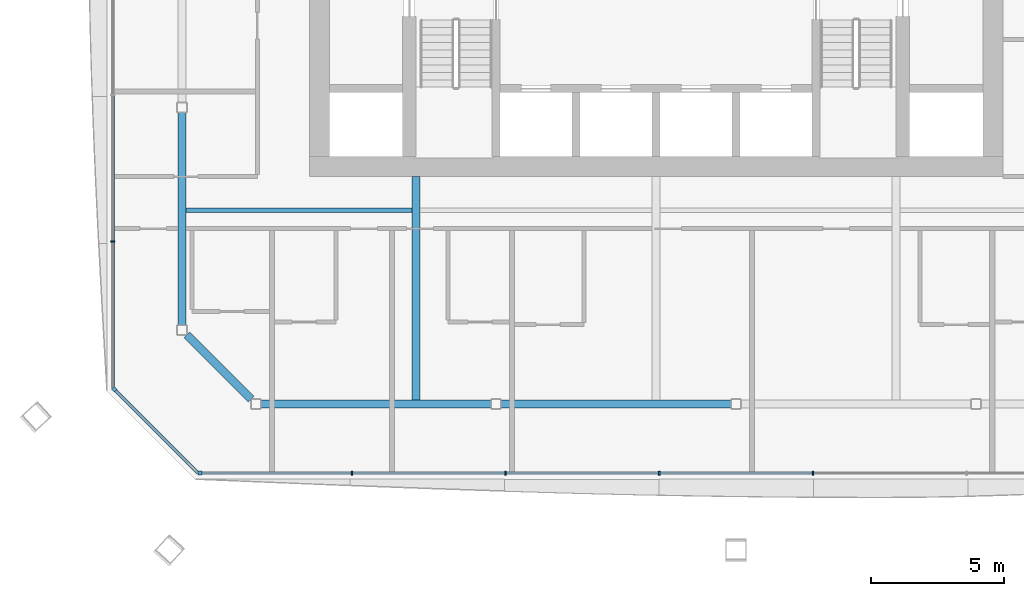
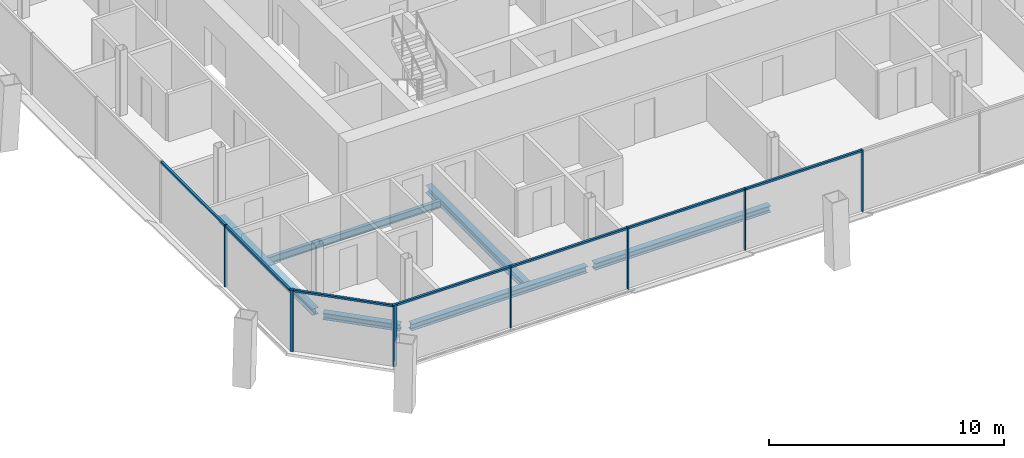
# One storey, part 4 of 22: 14 members, 6 beams, 3 elements without a shape of their own.
"""IFC4 building model written with IfcOpenShell, lengths in metres."""

from ifc_helpers import new_model, si_unit, direction, frame, origin, origin_2d, place, context, subcontext, project, spatial, rectangle, i_section, extrude, material, material_profile, profile_set, type_object, element, aggregate, save


model = new_model("IFC4")

# Units and contexts
model_context = context("Model", 3, precision=1e-05, world=origin(), true_north=direction((0.0, 1.0)))
body_context = subcontext(model_context, "Body", "Model", "MODEL_VIEW")
ifc_project = project(units=[si_unit("LENGTHUNIT", "METRE"), si_unit("AREAUNIT", "SQUARE_METRE"), si_unit("VOLUMEUNIT", "CUBIC_METRE"), si_unit("PLANEANGLEUNIT", "RADIAN"), si_unit("MASSUNIT", "GRAM", prefix="KILO")], contexts=[model_context])

# Site, building, storey
site_placement = place(None, origin())
site = spatial("IfcSite", under=ifc_project, at=site_placement, CompositionType="ELEMENT")
building_placement = place(site_placement, origin())
building = spatial("IfcBuilding", under=site, at=building_placement, Name="Tskaro Facet Tower", CompositionType="ELEMENT")
storey_placement = place(building_placement, frame((0.0, 0.0, 124.89990234375)))
storey = spatial("IfcBuildingStorey", under=building, at=storey_placement, Name="L29", CompositionType="ELEMENT", Elevation=124.89990234375)

# Curtain wall, member
ifc_material_1 = material(Name="Bronze anodised aluminium 6063-T6", Category="aluminium")
curtain_wall_type = type_object("IfcCurtainWallType", Name="Bronze hotel curtain wall (FW2)", PredefinedType="NOTDEFINED", material=ifc_material_1)
curtain_wall_1_placement = place(storey_placement, origin())
curtain_wall_1 = element("IfcCurtainWall", 1, at=curtain_wall_1_placement, inside=storey, type_object=curtain_wall_type, Name="FW2 south facet L29", PredefinedType="NOTDEFINED")
ifc_material_profile_1 = material_profile(ifc_material_1, rectangle(XDim=0.14990234375, YDim=0.14990234375, at=origin_2d()), Name="Corner post 150x150")
ifc_profile_set_1 = profile_set([ifc_material_profile_1], Name="Bronze anodised aluminium 6063-T6")
member_type_1 = type_object("IfcMemberType", Name="FW2 bronze corner post 150x150", PredefinedType="MULLION", material=ifc_profile_set_1)
member_1_placement = place(storey_placement, frame((-17.091064453125, -23.366943359375, 0.0), z_axis=(0.0, 0.0, 1.0), x_axis=(1.0, 0.0, 0.0)))
member_1 = element("IfcMember", 2, at=member_1_placement, type_object=member_type_1, Name="FW2 south corner post", PredefinedType="MULLION", context=body_context, shape_type="SweptSolid", body=[
    extrude(rectangle(XDim=0.14990234375, YDim=0.14990234375, at=origin_2d()), origin(), (0.0, 0.0, 1.0), 3.2001953125),
])

curtain_wall_2_placement = place(storey_placement, origin())
curtain_wall_2 = element("IfcCurtainWall", 3, at=curtain_wall_2_placement, inside=storey, type_object=curtain_wall_type, Name="FW2 south-west facet L29", PredefinedType="NOTDEFINED")
member_2_placement = place(storey_placement, frame((-20.31396484375, -20.218994140625, 0.0), z_axis=(0.0, 0.0, 1.0), x_axis=(0.707106781187, -0.707106781187, 0.0)))
member_2 = element("IfcMember", 4, at=member_2_placement, type_object=member_type_1, Name="FW2 south-west corner post", PredefinedType="MULLION", context=body_context, shape_type="SweptSolid", body=[
    extrude(rectangle(XDim=0.14990234375, YDim=0.14990234375, at=origin_2d()), origin(), (0.0, 0.0, 1.0), 3.2001953125),
])

# Member
ifc_material_profile_2 = material_profile(ifc_material_1, rectangle(XDim=0.06005859375, YDim=0.14990234375, at=origin_2d()), Name="Mullion 60x150")
ifc_profile_set_2 = profile_set([ifc_material_profile_2], Name="Bronze anodised aluminium 6063-T6")
member_type_2 = type_object("IfcMemberType", Name="FW2 bronze mullion 60x150", PredefinedType="MULLION", material=ifc_profile_set_2)
member_3_placement = place(storey_placement, frame((-11.404296875, -23.366943359375, 0.0), z_axis=(0.0, 0.0, 1.0), x_axis=(1.0, 0.0, 0.0)))
member_3 = element("IfcMember", 5, at=member_3_placement, type_object=member_type_2, Name="FW2 south mullion 1", PredefinedType="MULLION", context=body_context, shape_type="SweptSolid", body=[
    extrude(rectangle(XDim=0.06005859375, YDim=0.14990234375, at=origin_2d()), origin(), (0.0, 0.0, 1.0), 3.2001953125),
])

member_4_placement = place(storey_placement, frame((-5.642578125, -23.366943359375, 0.0), z_axis=(0.0, 0.0, 1.0), x_axis=(1.0, 0.0, 0.0)))
member_4 = element("IfcMember", 6, at=member_4_placement, type_object=member_type_2, Name="FW2 south mullion 2", PredefinedType="MULLION", context=body_context, shape_type="SweptSolid", body=[
    extrude(rectangle(XDim=0.06005859375, YDim=0.14990234375, at=origin_2d()), origin(), (0.0, 0.0, 1.0), 3.2001953125),
])

member_5_placement = place(storey_placement, frame((0.119140625, -23.366943359375, 0.0), z_axis=(0.0, 0.0, 1.0), x_axis=(1.0, 0.0, 0.0)))
member_5 = element("IfcMember", 7, at=member_5_placement, type_object=member_type_2, Name="FW2 south mullion 3", PredefinedType="MULLION", context=body_context, shape_type="SweptSolid", body=[
    extrude(rectangle(XDim=0.06005859375, YDim=0.14990234375, at=origin_2d()), origin(), (0.0, 0.0, 1.0), 3.2001953125),
])

member_6_placement = place(storey_placement, frame((5.880859375, -23.366943359375, 0.0), z_axis=(0.0, 0.0, 1.0), x_axis=(1.0, 0.0, 0.0)))
member_6 = element("IfcMember", 8, at=member_6_placement, type_object=member_type_2, Name="FW2 south mullion 4", PredefinedType="MULLION", context=body_context, shape_type="SweptSolid", body=[
    extrude(rectangle(XDim=0.06005859375, YDim=0.14990234375, at=origin_2d()), origin(), (0.0, 0.0, 1.0), 3.2001953125),
])

# Curtain wall, member
curtain_wall_3_placement = place(storey_placement, origin())
curtain_wall_3 = element("IfcCurtainWall", 9, at=curtain_wall_3_placement, inside=storey, type_object=curtain_wall_type, Name="FW2 west facet L29", PredefinedType="NOTDEFINED")
member_7_placement = place(storey_placement, frame((-20.366943359375, -14.677490234375, 0.0), z_axis=(0.0, 0.0, 1.0), x_axis=(0.0, -1.0, 0.0)))
member_7 = element("IfcMember", 10, at=member_7_placement, type_object=member_type_2, Name="FW2 west mullion 6", PredefinedType="MULLION", context=body_context, shape_type="SweptSolid", body=[
    extrude(rectangle(XDim=0.06005859375, YDim=0.14990234375, at=origin_2d()), origin(), (0.0, 0.0, 1.0), 3.2001953125),
])

# Member
ifc_material_profile_3 = material_profile(ifc_material_1, rectangle(XDim=0.110107421875, YDim=0.10009765625, at=origin_2d()), Name="Transom 110x100")
ifc_profile_set_3 = profile_set([ifc_material_profile_3], Name="Bronze anodised aluminium 6063-T6")
member_type_3 = type_object("IfcMemberType", Name="FW2 bronze transom 110x100", PredefinedType="USERDEFINED", material=ifc_profile_set_3)
member_8_placement = place(storey_placement, frame((-17.01611328125, -23.366943359375, 3.150146484375), z_axis=(1.0, 0.0, 0.0), x_axis=(0.0, 1.0, 0.0)))
member_8 = element("IfcMember", 11, at=member_8_placement, type_object=member_type_3, Name="FW2 south transom 1.1", ObjectType="TRANSOM", PredefinedType="USERDEFINED", context=body_context, shape_type="SweptSolid", body=[
    extrude(rectangle(XDim=0.110107421875, YDim=0.10009765625, at=origin_2d()), origin(), (0.0, 0.0, 1.0), 5.581787109375),
])

member_9_placement = place(storey_placement, frame((-11.374267578125, -23.366943359375, 3.150146484375), z_axis=(1.0, 0.0, 0.0), x_axis=(0.0, 1.0, 0.0)))
member_9 = element("IfcMember", 12, at=member_9_placement, type_object=member_type_3, Name="FW2 south transom 2.1", ObjectType="TRANSOM", PredefinedType="USERDEFINED", context=body_context, shape_type="SweptSolid", body=[
    extrude(rectangle(XDim=0.110107421875, YDim=0.10009765625, at=origin_2d()), origin(), (0.0, 0.0, 1.0), 5.70166015625),
])

member_10_placement = place(storey_placement, frame((-5.612548828125, -23.366943359375, 3.150146484375), z_axis=(1.0, 0.0, 0.0), x_axis=(0.0, 1.0, 0.0)))
member_10 = element("IfcMember", 13, at=member_10_placement, type_object=member_type_3, Name="FW2 south transom 3.1", ObjectType="TRANSOM", PredefinedType="USERDEFINED", context=body_context, shape_type="SweptSolid", body=[
    extrude(rectangle(XDim=0.110107421875, YDim=0.10009765625, at=origin_2d()), origin(), (0.0, 0.0, 1.0), 5.70166015625),
])

member_11_placement = place(storey_placement, frame((0.149169921875, -23.366943359375, 3.150146484375), z_axis=(1.0, 0.0, 0.0), x_axis=(0.0, 1.0, 0.0)))
member_11 = element("IfcMember", 14, at=member_11_placement, type_object=member_type_3, Name="FW2 south transom 4.1", ObjectType="TRANSOM", PredefinedType="USERDEFINED", context=body_context, shape_type="SweptSolid", body=[
    extrude(rectangle(XDim=0.110107421875, YDim=0.10009765625, at=origin_2d()), origin(), (0.0, 0.0, 1.0), 5.70166015625),
])

aggregate(curtain_wall_1, [member_1, member_3, member_4, member_5, member_6, member_8, member_9, member_10, member_11])

member_12_placement = place(storey_placement, frame((-20.366943359375, -9.21923828125, 3.150146484375), z_axis=(0.0, -1.0, 0.0), x_axis=(1.0, 0.0, 0.0)))
member_12 = element("IfcMember", 15, at=member_12_placement, type_object=member_type_3, Name="FW2 west transom 6.1", ObjectType="TRANSOM", PredefinedType="USERDEFINED", context=body_context, shape_type="SweptSolid", body=[
    extrude(rectangle(XDim=0.110107421875, YDim=0.10009765625, at=origin_2d()), origin(), (0.0, 0.0, 1.0), 5.42822265625),
])

member_13_placement = place(storey_placement, frame((-20.366943359375, -14.70751953125, 3.150146484375), z_axis=(0.0, -1.0, 0.0), x_axis=(1.0, 0.0, 0.0)))
member_13 = element("IfcMember", 16, at=member_13_placement, type_object=member_type_3, Name="FW2 west transom 7.1", ObjectType="TRANSOM", PredefinedType="USERDEFINED", context=body_context, shape_type="SweptSolid", body=[
    extrude(rectangle(XDim=0.110107421875, YDim=0.10009765625, at=origin_2d()), origin(), (0.0, 0.0, 1.0), 5.45849609375),
])

aggregate(curtain_wall_3, [member_7, member_12, member_13])

member_14_placement = place(storey_placement, frame((-20.260986328125, -20.27197265625, 3.150146484375), z_axis=(0.707106781187, -0.707106781187, 0.0), x_axis=(0.707106781187, 0.707106781187, 0.0)))
member_14 = element("IfcMember", 17, at=member_14_placement, type_object=member_type_3, Name="FW2 south-west transom 1.1", ObjectType="TRANSOM", PredefinedType="USERDEFINED", context=body_context, shape_type="SweptSolid", body=[
    extrude(rectangle(XDim=0.110107421875, YDim=0.10009765625, at=origin_2d()), origin(), (0.0, 0.0, 1.0), 4.376953125),
])

aggregate(curtain_wall_2, [member_2, member_14])

# Beams
ifc_material_2 = material(Name="Steel S355J2", Category="steel")
ifc_material_profile_4 = material_profile(ifc_material_2, i_section(OverallWidth=0.300048828125, OverallDepth=0.340087890625, WebThickness=0.011962890625, FlangeThickness=0.021484375, FilletRadius=0.027099609375, at=origin_2d()), Name="HE 340 B")
ifc_profile_set_4 = profile_set([ifc_material_profile_4], Name="Steel S355J2")
beam_type_1 = type_object("IfcBeamType", Name="HE 340 B ring beam", PredefinedType="BEAM", material=ifc_profile_set_4)
beam_1_placement = place(storey_placement, frame((-14.819091796875, -20.77392578125, -0.309814453125), z_axis=(1.0, 0.0, 0.0), x_axis=(0.0, 1.0, 0.0)))
element("IfcBeam", 18, at=beam_1_placement, inside=storey, type_object=beam_type_1, Name="HE 340 B EB1-3", PredefinedType="BEAM", context=body_context, shape_type="SweptSolid", body=[
    extrude(i_section(OverallWidth=0.300048828125, OverallDepth=0.340087890625, WebThickness=0.011962890625, FlangeThickness=0.021484375, FilletRadius=0.027099609375, at=origin_2d()), origin(), (0.0, 0.0, 1.0), 8.63916015625),
])
beam_2_placement = place(storey_placement, frame((-5.820068359375, -20.77392578125, -0.309814453125), z_axis=(1.0, 0.0, 0.0), x_axis=(0.0, 1.0, 0.0)))
element("IfcBeam", 19, at=beam_2_placement, inside=storey, type_object=beam_type_1, Name="HE 340 B EB2-3", PredefinedType="BEAM", context=body_context, shape_type="SweptSolid", body=[
    extrude(i_section(OverallWidth=0.300048828125, OverallDepth=0.340087890625, WebThickness=0.011962890625, FlangeThickness=0.021484375, FilletRadius=0.027099609375, at=origin_2d()), origin(), (0.0, 0.0, 1.0), 8.64013671875),
])
beam_3_placement = place(storey_placement, frame((-17.77392578125, -9.8369140625, -0.309814453125), z_axis=(0.0, -1.0, 0.0), x_axis=(1.0, 0.0, 0.0)))
element("IfcBeam", 20, at=beam_3_placement, inside=storey, type_object=beam_type_1, Name="HE 340 B EB19-3", PredefinedType="BEAM", context=body_context, shape_type="SweptSolid", body=[
    extrude(i_section(OverallWidth=0.300048828125, OverallDepth=0.340087890625, WebThickness=0.011962890625, FlangeThickness=0.021484375, FilletRadius=0.027099609375, at=origin_2d()), origin(), (0.0, 0.0, 1.0), 7.982177734375),
])
beam_4_placement = place(storey_placement, frame((-17.588134765625, -18.184814453125, -0.309814453125), z_axis=(0.707106781187, -0.707106781187, 0.0), x_axis=(0.707106781187, 0.707106781187, 0.0)))
element("IfcBeam", 21, at=beam_4_placement, inside=storey, type_object=beam_type_1, Name="HE 340 B EB20-3", PredefinedType="BEAM", context=body_context, shape_type="SweptSolid", body=[
    extrude(i_section(OverallWidth=0.300048828125, OverallDepth=0.340087890625, WebThickness=0.011962890625, FlangeThickness=0.021484375, FilletRadius=0.027099609375, at=origin_2d()), origin(), (0.0, 0.0, 1.0), 3.39892578125),
])
ifc_material_profile_5 = material_profile(ifc_material_2, i_section(OverallWidth=0.300048828125, OverallDepth=0.389892578125, WebThickness=0.010986328125, FlangeThickness=0.01904296875, FilletRadius=0.027099609375, at=origin_2d()), Name="HE 400 A")
ifc_profile_set_5 = profile_set([ifc_material_profile_5], Name="Steel S355J2")
beam_type_2 = type_object("IfcBeamType", Name="HE 400 A girder", PredefinedType="BEAM", material=ifc_profile_set_5)
beam_5_placement = place(storey_placement, frame((-9.0, -20.6240234375, -0.3349609375), z_axis=(0.0, 1.0, 0.0), x_axis=(-1.0, 0.0, 0.0)))
element("IfcBeam", 22, at=beam_5_placement, inside=storey, type_object=beam_type_2, Name="HE 400 A GB3-1-3", PredefinedType="BEAM", context=body_context, shape_type="SweptSolid", body=[
    extrude(i_section(OverallWidth=0.300048828125, OverallDepth=0.389892578125, WebThickness=0.010986328125, FlangeThickness=0.01904296875, FilletRadius=0.027099609375, at=origin_2d()), origin(), (0.0, 0.0, 1.0), 8.3740234375),
])
ifc_material_profile_6 = material_profile(ifc_material_2, i_section(OverallWidth=0.169921875, OverallDepth=0.360107421875, WebThickness=0.008056640625, FlangeThickness=0.0126953125, FilletRadius=0.01806640625, at=origin_2d()), Name="IPE 360")
ifc_profile_set_6 = profile_set([ifc_material_profile_6], Name="Steel S355J2")
beam_type_3 = type_object("IfcBeamType", Name="IPE 360 secondary beam", PredefinedType="BEAM", material=ifc_profile_set_6)
beam_6_placement = place(storey_placement, frame((-17.6240234375, -13.5, -0.31982421875), z_axis=(1.0, 0.0, 0.0), x_axis=(0.0, 1.0, 0.0)))
element("IfcBeam", 23, at=beam_6_placement, inside=storey, type_object=beam_type_3, Name="IPE 360 SB2a-1-3", PredefinedType="BEAM", context=body_context, shape_type="SweptSolid", body=[
    extrude(i_section(OverallWidth=0.169921875, OverallDepth=0.360107421875, WebThickness=0.008056640625, FlangeThickness=0.0126953125, FilletRadius=0.01806640625, at=origin_2d()), origin(), (0.0, 0.0, 1.0), 8.47412109375),
])

save(model, "model.ifc")
